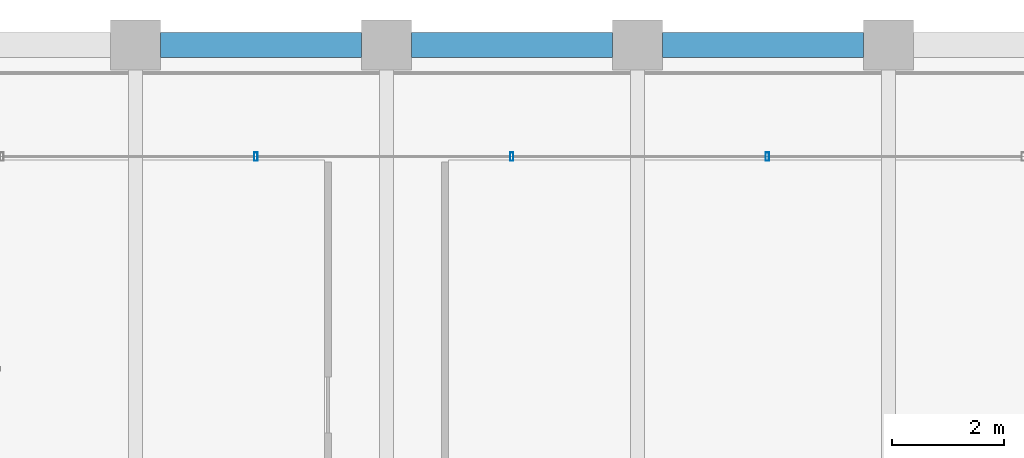
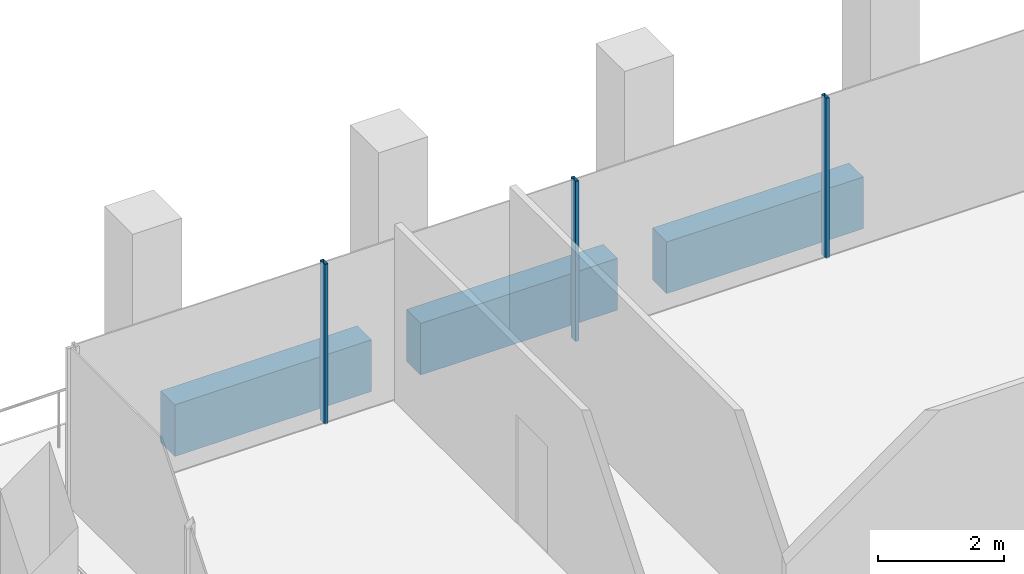
# One storey, part 23 of 40: 3 beams, 3 members, 1 element without a shape of its own.
"""IFC4 building model written with IfcOpenShell, lengths in metres."""

from ifc_helpers import new_model, si_unit, direction, frame, origin, origin_2d, place, context, subcontext, project, spatial, rectangle, hollow_rectangle, extrude, material, material_profile, profile_set, type_object, element, aggregate, save


model = new_model("IFC4")

# Units and contexts
model_context = context("Model", 3, precision=1e-05, world=origin(), true_north=direction((0.0, 1.0)))
body_context = subcontext(model_context, "Body", "Model", "MODEL_VIEW")
ifc_project = project(units=[si_unit("LENGTHUNIT", "METRE"), si_unit("AREAUNIT", "SQUARE_METRE"), si_unit("VOLUMEUNIT", "CUBIC_METRE"), si_unit("PLANEANGLEUNIT", "RADIAN"), si_unit("MASSUNIT", "GRAM", prefix="KILO")], contexts=[model_context])

# Site, building, storey
site_placement = place(None, origin())
site = spatial("IfcSite", under=ifc_project, at=site_placement, CompositionType="ELEMENT")
building_placement = place(site_placement, origin())
building = spatial("IfcBuilding", under=site, at=building_placement, Name="Altepetl Exchange Towers", CompositionType="ELEMENT")
storey_placement = place(building_placement, frame((0.0, 0.0, 161.800048828125)))
storey = spatial("IfcBuildingStorey", under=building, at=storey_placement, Name="L40", CompositionType="ELEMENT", Elevation=161.800048828125)

# Curtain wall, members
ifc_material_1 = material(Name="Aluminium 6063-T6 glazing", Category="aluminium")
curtain_wall_type = type_object("IfcCurtainWallType", Name="Loggia glazing system", PredefinedType="NOTDEFINED", material=ifc_material_1)
curtain_wall_placement = place(storey_placement, origin())
curtain_wall = element("IfcCurtainWall", 1, at=curtain_wall_placement, inside=storey, type_object=curtain_wall_type, Name="CW1 run", PredefinedType="NOTDEFINED")
ifc_material_2 = material(Name="Aluminium 6063-T6", Category="aluminium")
ifc_material_profile_1 = material_profile(ifc_material_2, hollow_rectangle(XDim=0.06005859375, YDim=0.14990234375, WallThickness=0.0029296875, at=origin_2d()), Name="Mullion 60x150 aluminium")
ifc_profile_set_1 = profile_set([ifc_material_profile_1], Name="Aluminium 6063-T6")
member_type = type_object("IfcMemberType", Name="Mullion 60x150 aluminium", PredefinedType="MULLION", material=ifc_profile_set_1)
member_1_placement = place(storey_placement, frame((56.330078125, 70.0, 0.0), z_axis=(0.0, 0.0, 1.0), x_axis=(-1.0, 0.0, 0.0)))
member_1 = element("IfcMember", 2, at=member_1_placement, type_object=member_type, Name="MU1 mullion", PredefinedType="MULLION", context=body_context, shape_type="SweptSolid", body=[
    extrude(hollow_rectangle(XDim=0.06005859375, YDim=0.14990234375, WallThickness=0.0029296875, at=origin_2d()), origin(), (0.0, 0.0, 1.0), 3.099853515625),
])
member_2_placement = place(storey_placement, frame((51.7451171875, 70.0, 0.0), z_axis=(0.0, 0.0, 1.0), x_axis=(-1.0, 0.0, 0.0)))
member_2 = element("IfcMember", 3, at=member_2_placement, type_object=member_type, Name="MU1 mullion", PredefinedType="MULLION", context=body_context, shape_type="SweptSolid", body=[
    extrude(hollow_rectangle(XDim=0.06005859375, YDim=0.14990234375, WallThickness=0.0029296875, at=origin_2d()), origin(), (0.0, 0.0, 1.0), 3.099853515625),
])
member_3_placement = place(storey_placement, frame((47.159912109375, 70.0, 0.0), z_axis=(0.0, 0.0, 1.0), x_axis=(-1.0, 0.0, 0.0)))
member_3 = element("IfcMember", 4, at=member_3_placement, type_object=member_type, Name="MU1 mullion", PredefinedType="MULLION", context=body_context, shape_type="SweptSolid", body=[
    extrude(hollow_rectangle(XDim=0.06005859375, YDim=0.14990234375, WallThickness=0.0029296875, at=origin_2d()), origin(), (0.0, 0.0, 1.0), 3.099853515625),
])
aggregate(curtain_wall, [member_1, member_2, member_3])

# Beams
ifc_material_3 = material(Name="Concrete C50/60 precast with cantera rosa facing", Category="concrete")
ifc_material_profile_2 = material_profile(ifc_material_3, rectangle(XDim=0.449951171875, YDim=1.0, at=origin_2d()), Name="450 x 1000")
ifc_profile_set_2 = profile_set([ifc_material_profile_2], Name="Concrete C50/60 precast with cantera rosa facing")
beam_type = type_object("IfcBeamType", Name="Spandrel beam 450x1000 cantera rosa", PredefinedType="SPANDREL", material=ifc_profile_set_2)
for number, where, z_axis, x_axis, name in (
    (5, (58.050048828125, 72.0, -0.650146484375), (-1.0, 0.0, 0.0), (0.0, -1.0, 0.0), "sp:A:L40:026"),
    (6, (53.550048828125, 72.0, -0.650146484375), (-1.0, 0.0, 0.0), (0.0, -1.0, 0.0), "sp:A:L40:027"),
    (7, (49.050048828125, 72.0, -0.650146484375), (-1.0, 0.0, 0.0), (0.0, -1.0, 0.0), "sp:A:L40:028"),
):
    element("IfcBeam", number, at=place(storey_placement, frame(where, z_axis=z_axis, x_axis=x_axis)), inside=storey, type_object=beam_type, Name=name, PredefinedType="SPANDREL", context=body_context, shape_type="SweptSolid", body=[
        extrude(rectangle(XDim=0.449951171875, YDim=1.0, at=origin_2d()), origin(), (0.0, 0.0, 1.0), 3.60009765625),
    ])

save(model, "model.ifc")
